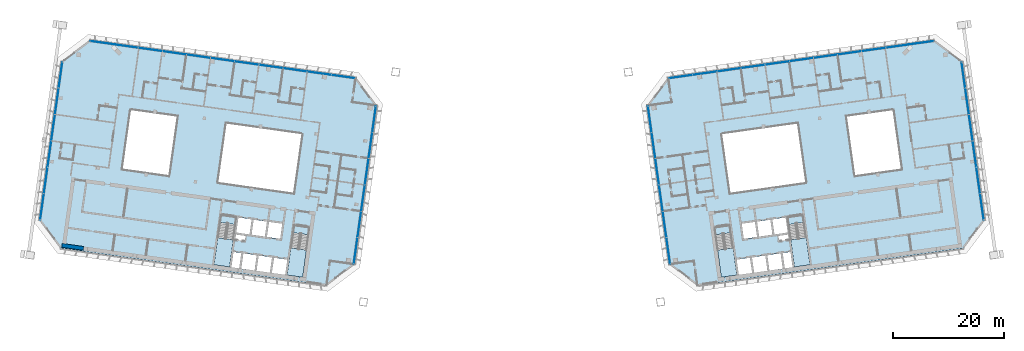
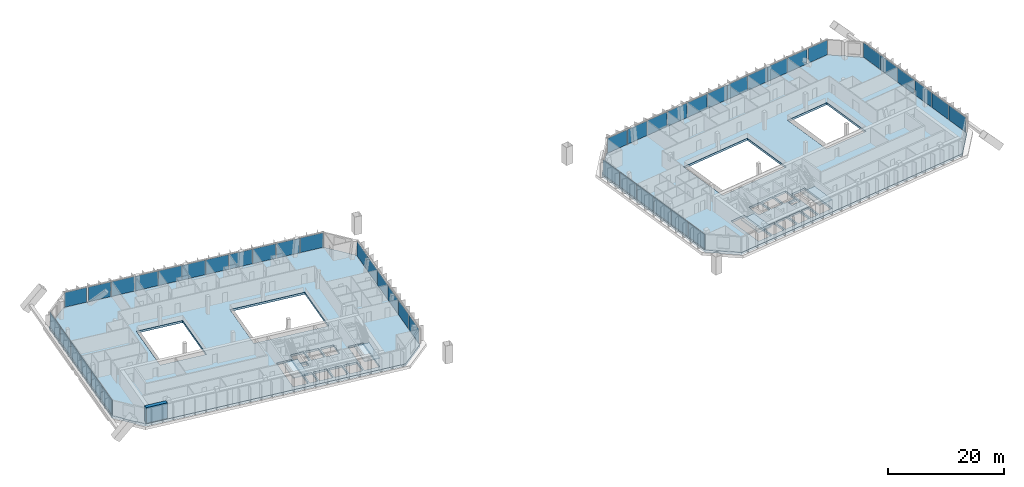
# One storey, part 15 of 29: 46 plates, 6 slabs, 1 wall, 10 elements without a shape of their own.
"""IFC4 building model written with IfcOpenShell, lengths in metres."""

from ifc_helpers import new_model, si_unit, direction, frame, frame_2d, origin, origin_2d, place, context, subcontext, project, spatial, polyline, rectangle, outline, extrude, material, layer, layer_set, type_object, element, aggregate, save


model = new_model("IFC4")

# Units and contexts
model_context = context("Model", 3, precision=1e-05, world=origin(), true_north=direction((0.0, 1.0)))
body_context = subcontext(model_context, "Body", "Model", "MODEL_VIEW")
ifc_project = project(units=[si_unit("LENGTHUNIT", "METRE"), si_unit("AREAUNIT", "SQUARE_METRE"), si_unit("VOLUMEUNIT", "CUBIC_METRE"), si_unit("PLANEANGLEUNIT", "RADIAN"), si_unit("MASSUNIT", "GRAM", prefix="KILO")], contexts=[model_context])

# Site, building, storey
site_placement = place(None, origin())
site = spatial("IfcSite", under=ifc_project, at=site_placement, CompositionType="ELEMENT")
building_placement = place(site_placement, origin())
building = spatial("IfcBuilding", under=site, at=building_placement, Name="Mirante Cascada Hotel Towers", CompositionType="ELEMENT")
storey_placement = place(building_placement, frame((0.0, 0.0, 206.8)))
storey = spatial("IfcBuildingStorey", under=building, at=storey_placement, Name="L49", CompositionType="ELEMENT", Elevation=206.8)

# Curtain wall, plates
ifc_material_1 = material(Name="Aluminium mullion and transom frame with clear laminated glass", Category="aluminium")
curtain_wall_type_1 = type_object("IfcCurtainWallType", Name="Ribbon curtain wall ECW1", PredefinedType="NOTDEFINED", material=ifc_material_1)
curtain_wall_1_placement = place(storey_placement, origin())
curtain_wall_1 = element("IfcCurtainWall", 1, at=curtain_wall_1_placement, inside=storey, type_object=curtain_wall_type_1, Name="Front ribbon wall T1 L49", PredefinedType="NOTDEFINED")
ifc_material_2 = material(Name="Clear laminated glass", Category="glass")
ifc_layer_1 = layer(ifc_material_2, 0.036)
ifc_layer_set_1 = layer_set([ifc_layer_1], Name="ECW1 glass panel 36")
plate_type_1 = type_object("IfcPlateType", Name="ECW1 glass panel 36", PredefinedType="CURTAIN_PANEL", material=ifc_layer_set_1)
plate_1_placement = place(storey_placement, frame((-74.2181, 23.2497, 0.1), z_axis=(0.0, 0.0, 1.0), x_axis=(0.9902681, -0.1391731, 0.0)))
plate_1 = element("IfcPlate", 2, at=plate_1_placement, type_object=plate_type_1, Name="ECW1 panel 1", PredefinedType="CURTAIN_PANEL", context=body_context, shape_type="SweptSolid", body=[
    extrude(rectangle(XDim=4.1421, YDim=0.036, at=origin_2d()), origin(), (0.0, 0.0, 1.0), 3.1),
])
plate_2_placement = place(storey_placement, frame((-69.7205, 22.6176, 0.1), z_axis=(0.0, 0.0, 1.0), x_axis=(0.9902681, -0.1391731, 0.0)))
plate_2 = element("IfcPlate", 3, at=plate_2_placement, type_object=plate_type_1, Name="ECW1 panel 2", PredefinedType="CURTAIN_PANEL", context=body_context, shape_type="SweptSolid", body=[
    extrude(rectangle(XDim=4.202, YDim=0.036, at=origin_2d()), origin(), (0.0, 0.0, 1.0), 3.1),
])
plate_3_placement = place(storey_placement, frame((-65.4263, 22.0141, 0.1), z_axis=(0.0, 0.0, 1.0), x_axis=(0.9902681, -0.1391731, 0.0)))
plate_3 = element("IfcPlate", 4, at=plate_3_placement, type_object=plate_type_1, Name="ECW1 panel 3", PredefinedType="CURTAIN_PANEL", context=body_context, shape_type="SweptSolid", body=[
    extrude(rectangle(XDim=4.3407, YDim=0.036, at=origin_2d()), origin(), (0.0, 0.0, 1.0), 3.1),
])
plate_4_placement = place(storey_placement, frame((-61.0635, 21.4009, 0.1), z_axis=(0.0, 0.0, 1.0), x_axis=(0.9902681, -0.1391731, 0.0)))
plate_4 = element("IfcPlate", 5, at=plate_4_placement, type_object=plate_type_1, Name="ECW1 panel 4", PredefinedType="CURTAIN_PANEL", context=body_context, shape_type="SweptSolid", body=[
    extrude(rectangle(XDim=4.3407, YDim=0.036, at=origin_2d()), origin(), (0.0, 0.0, 1.0), 3.1),
])
plate_5_placement = place(storey_placement, frame((-56.7007, 20.7878, 0.1), z_axis=(0.0, 0.0, 1.0), x_axis=(0.9902681, -0.1391731, 0.0)))
plate_5 = element("IfcPlate", 6, at=plate_5_placement, type_object=plate_type_1, Name="ECW1 panel 5", PredefinedType="CURTAIN_PANEL", context=body_context, shape_type="SweptSolid", body=[
    extrude(rectangle(XDim=4.3407, YDim=0.036, at=origin_2d()), origin(), (0.0, 0.0, 1.0), 3.1),
])
plate_6_placement = place(storey_placement, frame((-52.3379, 20.1746, 0.1), z_axis=(0.0, 0.0, 1.0), x_axis=(0.9902681, -0.1391731, 0.0)))
plate_6 = element("IfcPlate", 7, at=plate_6_placement, type_object=plate_type_1, Name="ECW1 panel 6", PredefinedType="CURTAIN_PANEL", context=body_context, shape_type="SweptSolid", body=[
    extrude(rectangle(XDim=4.3407, YDim=0.036, at=origin_2d()), origin(), (0.0, 0.0, 1.0), 3.1),
])
plate_7_placement = place(storey_placement, frame((-47.9752, 19.5615, 0.1), z_axis=(0.0, 0.0, 1.0), x_axis=(0.9902681, -0.1391731, 0.0)))
plate_7 = element("IfcPlate", 8, at=plate_7_placement, type_object=plate_type_1, Name="ECW1 panel 7", PredefinedType="CURTAIN_PANEL", context=body_context, shape_type="SweptSolid", body=[
    extrude(rectangle(XDim=4.3407, YDim=0.036, at=origin_2d()), origin(), (0.0, 0.0, 1.0), 3.1),
])
plate_8_placement = place(storey_placement, frame((-43.6124, 18.9483, 0.1), z_axis=(0.0, 0.0, 1.0), x_axis=(0.9902681, -0.1391731, 0.0)))
plate_8 = element("IfcPlate", 9, at=plate_8_placement, type_object=plate_type_1, Name="ECW1 panel 8", PredefinedType="CURTAIN_PANEL", context=body_context, shape_type="SweptSolid", body=[
    extrude(rectangle(XDim=4.3407, YDim=0.036, at=origin_2d()), origin(), (0.0, 0.0, 1.0), 3.1),
])
plate_9_placement = place(storey_placement, frame((-39.2496, 18.3352, 0.1), z_axis=(0.0, 0.0, 1.0), x_axis=(0.9902681, -0.1391731, 0.0)))
plate_9 = element("IfcPlate", 10, at=plate_9_placement, type_object=plate_type_1, Name="ECW1 panel 9", PredefinedType="CURTAIN_PANEL", context=body_context, shape_type="SweptSolid", body=[
    extrude(rectangle(XDim=4.3407, YDim=0.036, at=origin_2d()), origin(), (0.0, 0.0, 1.0), 3.1),
])
plate_10_placement = place(storey_placement, frame((-34.8868, 17.722, 0.1), z_axis=(0.0, 0.0, 1.0), x_axis=(0.9902681, -0.1391731, 0.0)))
plate_10 = element("IfcPlate", 11, at=plate_10_placement, type_object=plate_type_1, Name="ECW1 panel 10", PredefinedType="CURTAIN_PANEL", context=body_context, shape_type="SweptSolid", body=[
    extrude(rectangle(XDim=4.3407, YDim=0.036, at=origin_2d()), origin(), (0.0, 0.0, 1.0), 3.1),
])
plate_11_placement = place(storey_placement, frame((-30.5401, 17.1112, 0.1), z_axis=(0.0, 0.0, 1.0), x_axis=(0.9902681, -0.1391731, 0.0)))
plate_11 = element("IfcPlate", 12, at=plate_11_placement, type_object=plate_type_1, Name="ECW1 panel 11", PredefinedType="CURTAIN_PANEL", context=body_context, shape_type="SweptSolid", body=[
    extrude(rectangle(XDim=4.3082, YDim=0.036, at=origin_2d()), origin(), (0.0, 0.0, 1.0), 3.1),
])
aggregate(curtain_wall_1, [plate_1, plate_2, plate_3, plate_4, plate_5, plate_6, plate_7, plate_8, plate_9, plate_10, plate_11])

curtain_wall_2_placement = place(storey_placement, origin())
curtain_wall_2 = element("IfcCurtainWall", 13, at=curtain_wall_2_placement, inside=storey, type_object=curtain_wall_type_1, Name="Front ribbon wall T2 L49", PredefinedType="NOTDEFINED")
plate_12_placement = place(storey_placement, frame((74.2181, 23.2497, 0.1), z_axis=(0.0, 0.0, 1.0), x_axis=(-0.9902681, -0.1391731, 0.0)))
plate_12 = element("IfcPlate", 14, at=plate_12_placement, type_object=plate_type_1, Name="ECW1 panel 1", PredefinedType="CURTAIN_PANEL", context=body_context, shape_type="SweptSolid", body=[
    extrude(rectangle(XDim=4.1421, YDim=0.036, at=origin_2d()), origin(), (0.0, 0.0, 1.0), 3.1),
])
plate_13_placement = place(storey_placement, frame((69.7205, 22.6176, 0.1), z_axis=(0.0, 0.0, 1.0), x_axis=(-0.9902681, -0.1391731, 0.0)))
plate_13 = element("IfcPlate", 15, at=plate_13_placement, type_object=plate_type_1, Name="ECW1 panel 2", PredefinedType="CURTAIN_PANEL", context=body_context, shape_type="SweptSolid", body=[
    extrude(rectangle(XDim=4.202, YDim=0.036, at=origin_2d()), origin(), (0.0, 0.0, 1.0), 3.1),
])
plate_14_placement = place(storey_placement, frame((65.4263, 22.0141, 0.1), z_axis=(0.0, 0.0, 1.0), x_axis=(-0.9902681, -0.1391731, 0.0)))
plate_14 = element("IfcPlate", 16, at=plate_14_placement, type_object=plate_type_1, Name="ECW1 panel 3", PredefinedType="CURTAIN_PANEL", context=body_context, shape_type="SweptSolid", body=[
    extrude(rectangle(XDim=4.3407, YDim=0.036, at=origin_2d()), origin(), (0.0, 0.0, 1.0), 3.1),
])
plate_15_placement = place(storey_placement, frame((61.0635, 21.4009, 0.1), z_axis=(0.0, 0.0, 1.0), x_axis=(-0.9902681, -0.1391731, 0.0)))
plate_15 = element("IfcPlate", 17, at=plate_15_placement, type_object=plate_type_1, Name="ECW1 panel 4", PredefinedType="CURTAIN_PANEL", context=body_context, shape_type="SweptSolid", body=[
    extrude(rectangle(XDim=4.3407, YDim=0.036, at=origin_2d()), origin(), (0.0, 0.0, 1.0), 3.1),
])
plate_16_placement = place(storey_placement, frame((56.7007, 20.7878, 0.1), z_axis=(0.0, 0.0, 1.0), x_axis=(-0.9902681, -0.1391731, 0.0)))
plate_16 = element("IfcPlate", 18, at=plate_16_placement, type_object=plate_type_1, Name="ECW1 panel 5", PredefinedType="CURTAIN_PANEL", context=body_context, shape_type="SweptSolid", body=[
    extrude(rectangle(XDim=4.3407, YDim=0.036, at=origin_2d()), origin(), (0.0, 0.0, 1.0), 3.1),
])
plate_17_placement = place(storey_placement, frame((52.3379, 20.1746, 0.1), z_axis=(0.0, 0.0, 1.0), x_axis=(-0.9902681, -0.1391731, 0.0)))
plate_17 = element("IfcPlate", 19, at=plate_17_placement, type_object=plate_type_1, Name="ECW1 panel 6", PredefinedType="CURTAIN_PANEL", context=body_context, shape_type="SweptSolid", body=[
    extrude(rectangle(XDim=4.3407, YDim=0.036, at=origin_2d()), origin(), (0.0, 0.0, 1.0), 3.1),
])
plate_18_placement = place(storey_placement, frame((47.9752, 19.5615, 0.1), z_axis=(0.0, 0.0, 1.0), x_axis=(-0.9902681, -0.1391731, 0.0)))
plate_18 = element("IfcPlate", 20, at=plate_18_placement, type_object=plate_type_1, Name="ECW1 panel 7", PredefinedType="CURTAIN_PANEL", context=body_context, shape_type="SweptSolid", body=[
    extrude(rectangle(XDim=4.3407, YDim=0.036, at=origin_2d()), origin(), (0.0, 0.0, 1.0), 3.1),
])
plate_19_placement = place(storey_placement, frame((43.6124, 18.9483, 0.1), z_axis=(0.0, 0.0, 1.0), x_axis=(-0.9902681, -0.1391731, 0.0)))
plate_19 = element("IfcPlate", 21, at=plate_19_placement, type_object=plate_type_1, Name="ECW1 panel 8", PredefinedType="CURTAIN_PANEL", context=body_context, shape_type="SweptSolid", body=[
    extrude(rectangle(XDim=4.3407, YDim=0.036, at=origin_2d()), origin(), (0.0, 0.0, 1.0), 3.1),
])
plate_20_placement = place(storey_placement, frame((39.2496, 18.3352, 0.1), z_axis=(0.0, 0.0, 1.0), x_axis=(-0.9902681, -0.1391731, 0.0)))
plate_20 = element("IfcPlate", 22, at=plate_20_placement, type_object=plate_type_1, Name="ECW1 panel 9", PredefinedType="CURTAIN_PANEL", context=body_context, shape_type="SweptSolid", body=[
    extrude(rectangle(XDim=4.3407, YDim=0.036, at=origin_2d()), origin(), (0.0, 0.0, 1.0), 3.1),
])
plate_21_placement = place(storey_placement, frame((34.8868, 17.722, 0.1), z_axis=(0.0, 0.0, 1.0), x_axis=(-0.9902681, -0.1391731, 0.0)))
plate_21 = element("IfcPlate", 23, at=plate_21_placement, type_object=plate_type_1, Name="ECW1 panel 10", PredefinedType="CURTAIN_PANEL", context=body_context, shape_type="SweptSolid", body=[
    extrude(rectangle(XDim=4.3407, YDim=0.036, at=origin_2d()), origin(), (0.0, 0.0, 1.0), 3.1),
])
plate_22_placement = place(storey_placement, frame((30.5401, 17.1112, 0.1), z_axis=(0.0, 0.0, 1.0), x_axis=(-0.9902681, -0.1391731, 0.0)))
plate_22 = element("IfcPlate", 24, at=plate_22_placement, type_object=plate_type_1, Name="ECW1 panel 11", PredefinedType="CURTAIN_PANEL", context=body_context, shape_type="SweptSolid", body=[
    extrude(rectangle(XDim=4.3082, YDim=0.036, at=origin_2d()), origin(), (0.0, 0.0, 1.0), 3.1),
])
aggregate(curtain_wall_2, [plate_12, plate_13, plate_14, plate_15, plate_16, plate_17, plate_18, plate_19, plate_20, plate_21, plate_22])

ifc_material_3 = material(Name="Aluminium mullion and transom frame with clear laminated glass", Category="aluminium")
curtain_wall_type_2 = type_object("IfcCurtainWallType", Name="End ribbon curtain wall ECW2", PredefinedType="NOTDEFINED", material=ifc_material_3)
curtain_wall_3_placement = place(storey_placement, origin())
curtain_wall_3 = element("IfcCurtainWall", 25, at=curtain_wall_3_placement, inside=storey, type_object=curtain_wall_type_2, Name="Inner end wall T1 L49", PredefinedType="NOTDEFINED")
ifc_material_4 = material(Name="Clear laminated glass", Category="glass")
ifc_layer_2 = layer(ifc_material_4, 0.034)
ifc_layer_set_2 = layer_set([ifc_layer_2], Name="ECW2 glass panel 34")
plate_type_2 = type_object("IfcPlateType", Name="ECW2 glass panel 34", PredefinedType="CURTAIN_PANEL", material=ifc_layer_set_2)
plate_23_placement = place(storey_placement, frame((-24.9246, 9.4201, 0.1), z_axis=(0.0, 0.0, 1.0), x_axis=(-0.1391731, -0.9902681, 0.0)))
plate_23 = element("IfcPlate", 26, at=plate_23_placement, type_object=plate_type_2, Name="ECW2 panel 1", PredefinedType="CURTAIN_PANEL", context=body_context, shape_type="SweptSolid", body=[
    extrude(rectangle(XDim=4.7151, YDim=0.034, at=origin_2d()), origin(), (0.0, 0.0, 1.0), 3.1),
])
plate_24_placement = place(storey_placement, frame((-25.5921, 4.6704, 0.1), z_axis=(0.0, 0.0, 1.0), x_axis=(-0.1391731, -0.9902681, 0.0)))
plate_24 = element("IfcPlate", 27, at=plate_24_placement, type_object=plate_type_2, Name="ECW2 panel 2", PredefinedType="CURTAIN_PANEL", context=body_context, shape_type="SweptSolid", body=[
    extrude(rectangle(XDim=4.7476, YDim=0.034, at=origin_2d()), origin(), (0.0, 0.0, 1.0), 3.1),
])
plate_25_placement = place(storey_placement, frame((-26.2619, -0.0954, 0.1), z_axis=(0.0, 0.0, 1.0), x_axis=(-0.1391731, -0.9902681, 0.0)))
plate_25 = element("IfcPlate", 28, at=plate_25_placement, type_object=plate_type_2, Name="ECW2 panel 3", PredefinedType="CURTAIN_PANEL", context=body_context, shape_type="SweptSolid", body=[
    extrude(rectangle(XDim=4.7476, YDim=0.034, at=origin_2d()), origin(), (0.0, 0.0, 1.0), 3.1),
])
plate_26_placement = place(storey_placement, frame((-26.9317, -4.8612, 0.1), z_axis=(0.0, 0.0, 1.0), x_axis=(-0.1391731, -0.9902681, 0.0)))
plate_26 = element("IfcPlate", 29, at=plate_26_placement, type_object=plate_type_2, Name="ECW2 panel 4", PredefinedType="CURTAIN_PANEL", context=body_context, shape_type="SweptSolid", body=[
    extrude(rectangle(XDim=4.7476, YDim=0.034, at=origin_2d()), origin(), (0.0, 0.0, 1.0), 3.1),
])
plate_27_placement = place(storey_placement, frame((-27.6015, -9.627, 0.1), z_axis=(0.0, 0.0, 1.0), x_axis=(-0.1391731, -0.9902681, 0.0)))
plate_27 = element("IfcPlate", 30, at=plate_27_placement, type_object=plate_type_2, Name="ECW2 panel 5", PredefinedType="CURTAIN_PANEL", context=body_context, shape_type="SweptSolid", body=[
    extrude(rectangle(XDim=4.7476, YDim=0.034, at=origin_2d()), origin(), (0.0, 0.0, 1.0), 3.1),
])
plate_28_placement = place(storey_placement, frame((-28.269, -14.3767, 0.1), z_axis=(0.0, 0.0, 1.0), x_axis=(-0.1391731, -0.9902681, 0.0)))
plate_28 = element("IfcPlate", 31, at=plate_28_placement, type_object=plate_type_2, Name="ECW2 panel 6", PredefinedType="CURTAIN_PANEL", context=body_context, shape_type="SweptSolid", body=[
    extrude(rectangle(XDim=4.7151, YDim=0.034, at=origin_2d()), origin(), (0.0, 0.0, 1.0), 3.1),
])
aggregate(curtain_wall_3, [plate_23, plate_24, plate_25, plate_26, plate_27, plate_28])

curtain_wall_4_placement = place(storey_placement, origin())
curtain_wall_4 = element("IfcCurtainWall", 32, at=curtain_wall_4_placement, inside=storey, type_object=curtain_wall_type_2, Name="Outer end wall T1 L49", PredefinedType="NOTDEFINED")
plate_29_placement = place(storey_placement, frame((-84.9981, -6.4039, 0.1), z_axis=(0.0, 0.0, 1.0), x_axis=(0.1391731, 0.9902681, 0.0)))
plate_29 = element("IfcPlate", 33, at=plate_29_placement, type_object=plate_type_2, Name="ECW2 panel 1", PredefinedType="CURTAIN_PANEL", context=body_context, shape_type="SweptSolid", body=[
    extrude(rectangle(XDim=4.7151, YDim=0.034, at=origin_2d()), origin(), (0.0, 0.0, 1.0), 3.1),
])
plate_30_placement = place(storey_placement, frame((-84.3306, -1.6542, 0.1), z_axis=(0.0, 0.0, 1.0), x_axis=(0.1391731, 0.9902681, 0.0)))
plate_30 = element("IfcPlate", 34, at=plate_30_placement, type_object=plate_type_2, Name="ECW2 panel 2", PredefinedType="CURTAIN_PANEL", context=body_context, shape_type="SweptSolid", body=[
    extrude(rectangle(XDim=4.7476, YDim=0.034, at=origin_2d()), origin(), (0.0, 0.0, 1.0), 3.1),
])
plate_31_placement = place(storey_placement, frame((-82.3213, 12.6432, 0.1), z_axis=(0.0, 0.0, 1.0), x_axis=(0.1391731, 0.9902681, 0.0)))
plate_31 = element("IfcPlate", 35, at=plate_31_placement, type_object=plate_type_2, Name="ECW2 panel 5", PredefinedType="CURTAIN_PANEL", context=body_context, shape_type="SweptSolid", body=[
    extrude(rectangle(XDim=4.7476, YDim=0.034, at=origin_2d()), origin(), (0.0, 0.0, 1.0), 3.1),
])
plate_32_placement = place(storey_placement, frame((-81.6537, 17.3928, 0.1), z_axis=(0.0, 0.0, 1.0), x_axis=(0.1391731, 0.9902681, 0.0)))
plate_32 = element("IfcPlate", 36, at=plate_32_placement, type_object=plate_type_2, Name="ECW2 panel 6", PredefinedType="CURTAIN_PANEL", context=body_context, shape_type="SweptSolid", body=[
    extrude(rectangle(XDim=4.7151, YDim=0.034, at=origin_2d()), origin(), (0.0, 0.0, 1.0), 3.1),
])

curtain_wall_5_placement = place(storey_placement, origin())
curtain_wall_5 = element("IfcCurtainWall", 37, at=curtain_wall_5_placement, inside=storey, type_object=curtain_wall_type_2, Name="Inner end wall T2 L49", PredefinedType="NOTDEFINED")
plate_33_placement = place(storey_placement, frame((24.9246, 9.4201, 0.1), z_axis=(0.0, 0.0, 1.0), x_axis=(0.1391731, -0.9902681, 0.0)))
plate_33 = element("IfcPlate", 38, at=plate_33_placement, type_object=plate_type_2, Name="ECW2 panel 1", PredefinedType="CURTAIN_PANEL", context=body_context, shape_type="SweptSolid", body=[
    extrude(rectangle(XDim=4.7151, YDim=0.034, at=origin_2d()), origin(), (0.0, 0.0, 1.0), 3.1),
])
plate_34_placement = place(storey_placement, frame((25.5921, 4.6704, 0.1), z_axis=(0.0, 0.0, 1.0), x_axis=(0.1391731, -0.9902681, 0.0)))
plate_34 = element("IfcPlate", 39, at=plate_34_placement, type_object=plate_type_2, Name="ECW2 panel 2", PredefinedType="CURTAIN_PANEL", context=body_context, shape_type="SweptSolid", body=[
    extrude(rectangle(XDim=4.7476, YDim=0.034, at=origin_2d()), origin(), (0.0, 0.0, 1.0), 3.1),
])
plate_35_placement = place(storey_placement, frame((26.2619, -0.0954, 0.1), z_axis=(0.0, 0.0, 1.0), x_axis=(0.1391731, -0.9902681, 0.0)))
plate_35 = element("IfcPlate", 40, at=plate_35_placement, type_object=plate_type_2, Name="ECW2 panel 3", PredefinedType="CURTAIN_PANEL", context=body_context, shape_type="SweptSolid", body=[
    extrude(rectangle(XDim=4.7476, YDim=0.034, at=origin_2d()), origin(), (0.0, 0.0, 1.0), 3.1),
])
plate_36_placement = place(storey_placement, frame((26.9317, -4.8612, 0.1), z_axis=(0.0, 0.0, 1.0), x_axis=(0.1391731, -0.9902681, 0.0)))
plate_36 = element("IfcPlate", 41, at=plate_36_placement, type_object=plate_type_2, Name="ECW2 panel 4", PredefinedType="CURTAIN_PANEL", context=body_context, shape_type="SweptSolid", body=[
    extrude(rectangle(XDim=4.7476, YDim=0.034, at=origin_2d()), origin(), (0.0, 0.0, 1.0), 3.1),
])
plate_37_placement = place(storey_placement, frame((27.6015, -9.627, 0.1), z_axis=(0.0, 0.0, 1.0), x_axis=(0.1391731, -0.9902681, 0.0)))
plate_37 = element("IfcPlate", 42, at=plate_37_placement, type_object=plate_type_2, Name="ECW2 panel 5", PredefinedType="CURTAIN_PANEL", context=body_context, shape_type="SweptSolid", body=[
    extrude(rectangle(XDim=4.7476, YDim=0.034, at=origin_2d()), origin(), (0.0, 0.0, 1.0), 3.1),
])
plate_38_placement = place(storey_placement, frame((28.269, -14.3767, 0.1), z_axis=(0.0, 0.0, 1.0), x_axis=(0.1391731, -0.9902681, 0.0)))
plate_38 = element("IfcPlate", 43, at=plate_38_placement, type_object=plate_type_2, Name="ECW2 panel 6", PredefinedType="CURTAIN_PANEL", context=body_context, shape_type="SweptSolid", body=[
    extrude(rectangle(XDim=4.7151, YDim=0.034, at=origin_2d()), origin(), (0.0, 0.0, 1.0), 3.1),
])
aggregate(curtain_wall_5, [plate_33, plate_34, plate_35, plate_36, plate_37, plate_38])

curtain_wall_6_placement = place(storey_placement, origin())
curtain_wall_6 = element("IfcCurtainWall", 44, at=curtain_wall_6_placement, inside=storey, type_object=curtain_wall_type_2, Name="Outer end wall T2 L49", PredefinedType="NOTDEFINED")
plate_39_placement = place(storey_placement, frame((84.9981, -6.4039, 0.1), z_axis=(0.0, 0.0, 1.0), x_axis=(-0.1391731, 0.9902681, 0.0)))
plate_39 = element("IfcPlate", 45, at=plate_39_placement, type_object=plate_type_2, Name="ECW2 panel 1", PredefinedType="CURTAIN_PANEL", context=body_context, shape_type="SweptSolid", body=[
    extrude(rectangle(XDim=4.7151, YDim=0.034, at=origin_2d()), origin(), (0.0, 0.0, 1.0), 3.1),
])
plate_40_placement = place(storey_placement, frame((84.3306, -1.6542, 0.1), z_axis=(0.0, 0.0, 1.0), x_axis=(-0.1391731, 0.9902681, 0.0)))
plate_40 = element("IfcPlate", 46, at=plate_40_placement, type_object=plate_type_2, Name="ECW2 panel 2", PredefinedType="CURTAIN_PANEL", context=body_context, shape_type="SweptSolid", body=[
    extrude(rectangle(XDim=4.7476, YDim=0.034, at=origin_2d()), origin(), (0.0, 0.0, 1.0), 3.1),
])
plate_41_placement = place(storey_placement, frame((82.3213, 12.6432, 0.1), z_axis=(0.0, 0.0, 1.0), x_axis=(-0.1391731, 0.9902681, 0.0)))
plate_41 = element("IfcPlate", 47, at=plate_41_placement, type_object=plate_type_2, Name="ECW2 panel 5", PredefinedType="CURTAIN_PANEL", context=body_context, shape_type="SweptSolid", body=[
    extrude(rectangle(XDim=4.7476, YDim=0.034, at=origin_2d()), origin(), (0.0, 0.0, 1.0), 3.1),
])
plate_42_placement = place(storey_placement, frame((81.6537, 17.3928, 0.1), z_axis=(0.0, 0.0, 1.0), x_axis=(-0.1391731, 0.9902681, 0.0)))
plate_42 = element("IfcPlate", 48, at=plate_42_placement, type_object=plate_type_2, Name="ECW2 panel 6", PredefinedType="CURTAIN_PANEL", context=body_context, shape_type="SweptSolid", body=[
    extrude(rectangle(XDim=4.7151, YDim=0.034, at=origin_2d()), origin(), (0.0, 0.0, 1.0), 3.1),
])

# Plate
ifc_material_5 = material(Name="Insulated aluminium spandrel panel", Category="aluminium")
ifc_layer_3 = layer(ifc_material_5, 0.034)
ifc_layer_set_3 = layer_set([ifc_layer_3], Name="ECW2 spandrel panel 34")
plate_type_3 = type_object("IfcPlateType", Name="ECW2 spandrel panel 34", PredefinedType="CURTAIN_PANEL", material=ifc_layer_set_3)
plate_43_placement = place(storey_placement, frame((-83.6608, 3.1116, 0.1), z_axis=(0.0, 0.0, 1.0), x_axis=(0.1391731, 0.9902681, 0.0)))
plate_43 = element("IfcPlate", 49, at=plate_43_placement, type_object=plate_type_3, Name="ECW2 panel 3", PredefinedType="CURTAIN_PANEL", context=body_context, shape_type="SweptSolid", body=[
    extrude(rectangle(XDim=4.7476, YDim=0.034, at=origin_2d()), origin(), (0.0, 0.0, 1.0), 3.1),
])

plate_44_placement = place(storey_placement, frame((-82.991, 7.8774, 0.1), z_axis=(0.0, 0.0, 1.0), x_axis=(0.1391731, 0.9902681, 0.0)))
plate_44 = element("IfcPlate", 50, at=plate_44_placement, type_object=plate_type_3, Name="ECW2 panel 4", PredefinedType="CURTAIN_PANEL", context=body_context, shape_type="SweptSolid", body=[
    extrude(rectangle(XDim=4.7476, YDim=0.034, at=origin_2d()), origin(), (0.0, 0.0, 1.0), 3.1),
])

aggregate(curtain_wall_4, [plate_29, plate_30, plate_43, plate_44, plate_31, plate_32])

plate_45_placement = place(storey_placement, frame((83.6608, 3.1116, 0.1), z_axis=(0.0, 0.0, 1.0), x_axis=(-0.1391731, 0.9902681, 0.0)))
plate_45 = element("IfcPlate", 51, at=plate_45_placement, type_object=plate_type_3, Name="ECW2 panel 3", PredefinedType="CURTAIN_PANEL", context=body_context, shape_type="SweptSolid", body=[
    extrude(rectangle(XDim=4.7476, YDim=0.034, at=origin_2d()), origin(), (0.0, 0.0, 1.0), 3.1),
])

plate_46_placement = place(storey_placement, frame((82.991, 7.8774, 0.1), z_axis=(0.0, 0.0, 1.0), x_axis=(-0.1391731, 0.9902681, 0.0)))
plate_46 = element("IfcPlate", 52, at=plate_46_placement, type_object=plate_type_3, Name="ECW2 panel 4", PredefinedType="CURTAIN_PANEL", context=body_context, shape_type="SweptSolid", body=[
    extrude(rectangle(XDim=4.7476, YDim=0.034, at=origin_2d()), origin(), (0.0, 0.0, 1.0), 3.1),
])

aggregate(curtain_wall_6, [plate_39, plate_40, plate_45, plate_46, plate_41, plate_42])

# Stair, slab
ifc_material_6 = material(Name="Concrete C35/45", Category="concrete")
stair_type = type_object("IfcStairType", Name="Exit stair half-turn 1350 concrete C35/45", PredefinedType="HALF_TURN_STAIR", material=ifc_material_6)
stair_1_placement = place(storey_placement, origin())
stair_1 = element("IfcStair", 53, at=stair_1_placement, inside=storey, type_object=stair_type, Name="L49 Exit stair A", PredefinedType="HALF_TURN_STAIR")
ifc_material_7 = material(Name="Concrete C35/45", Category="concrete")
ifc_layer_4 = layer(ifc_material_7, 0.2)
ifc_layer_set_4 = layer_set([ifc_layer_4], Name="Exit stair landing 200 concrete C35/45")
slab_type_1 = type_object("IfcSlabType", Name="Exit stair landing 200 concrete C35/45", PredefinedType="LANDING", material=ifc_layer_set_4)
slab_1_placement = place(storey_placement, frame((0.0, 0.0, 1.7)))
slab_1 = element("IfcSlab", 54, at=slab_1_placement, type_object=slab_type_1, Name="ST1-A landing 1", PredefinedType="LANDING", context=body_context, shape_type="SweptSolid", body=[
    extrude(outline(polyline([(-39.9987, -13.8659), (-40.6887, -18.7757), (-37.8665, -19.1723), (-37.1765, -14.2626), (-39.9987, -13.8659)])), origin(), (0.0, 0.0, 1.0), 0.2),
])
aggregate(stair_1, [slab_1])

stair_2_placement = place(storey_placement, origin())
stair_2 = element("IfcStair", 55, at=stair_2_placement, inside=storey, type_object=stair_type, Name="L49 Exit stair B", PredefinedType="HALF_TURN_STAIR")
slab_2_placement = place(storey_placement, frame((0.0, 0.0, 1.7)))
slab_2 = element("IfcSlab", 56, at=slab_2_placement, type_object=slab_type_1, Name="ST1-B landing 1", PredefinedType="LANDING", context=body_context, shape_type="SweptSolid", body=[
    extrude(outline(polyline([(-53.2188, -12.008), (-53.9088, -16.9177), (-51.0866, -17.3144), (-50.3965, -12.4046), (-53.2188, -12.008)])), origin(), (0.0, 0.0, 1.0), 0.2),
])
aggregate(stair_2, [slab_2])

stair_3_placement = place(storey_placement, origin())
stair_3 = element("IfcStair", 57, at=stair_3_placement, inside=storey, type_object=stair_type, Name="L49 Exit stair A", PredefinedType="HALF_TURN_STAIR")
slab_3_placement = place(storey_placement, frame((0.0, 0.0, 1.7)))
slab_3 = element("IfcSlab", 58, at=slab_3_placement, type_object=slab_type_1, Name="ST2-A landing 1", PredefinedType="LANDING", context=body_context, shape_type="SweptSolid", body=[
    extrude(outline(polyline([(37.1765, -14.2626), (37.8665, -19.1723), (40.6887, -18.7757), (39.9987, -13.8659), (37.1765, -14.2626)])), origin(), (0.0, 0.0, 1.0), 0.2),
])
aggregate(stair_3, [slab_3])

stair_4_placement = place(storey_placement, origin())
stair_4 = element("IfcStair", 59, at=stair_4_placement, inside=storey, type_object=stair_type, Name="L49 Exit stair B", PredefinedType="HALF_TURN_STAIR")
slab_4_placement = place(storey_placement, frame((0.0, 0.0, 1.7)))
slab_4 = element("IfcSlab", 60, at=slab_4_placement, type_object=slab_type_1, Name="ST2-B landing 1", PredefinedType="LANDING", context=body_context, shape_type="SweptSolid", body=[
    extrude(outline(polyline([(50.3965, -12.4046), (51.0866, -17.3144), (53.9088, -16.9177), (53.2188, -12.008), (50.3965, -12.4046)])), origin(), (0.0, 0.0, 1.0), 0.2),
])
aggregate(stair_4, [slab_4])

# Slabs
ifc_material_8 = material(Name="Concrete C40/50", Category="concrete")
ifc_layer_5 = layer(ifc_material_8, 0.45)
ifc_layer_set_5 = layer_set([ifc_layer_5], Name="Post-tensioned flat plate 450 Concrete C40/50")
slab_type_2 = type_object("IfcSlabType", Name="Post-tensioned flat plate 450 Concrete C40/50", PredefinedType="FLOOR", material=ifc_layer_set_5)
slab_5_placement = place(storey_placement, frame((0.0, 0.0, -0.45)))
element("IfcSlab", 61, at=slab_5_placement, inside=storey, type_object=slab_type_2, Name="Floor T1 L49", PredefinedType="FLOOR", context=body_context, shape_type="SweptSolid", body=[
    extrude(outline(polyline([(-28.4663, -16.8581), (-24.4302, 11.8597), (-28.2602, 16.9422), (-76.374, 23.7042), (-81.4565, 19.8742), (-85.4925, -8.8435), (-81.6626, -13.926), (-33.5487, -20.688), (-28.4663, -16.8581)]), holes=[polyline([(-40.5961, -15.9612), (-40.9858, -18.7339), (-43.4615, -18.386), (-43.0718, -15.6132), (-40.5961, -15.9612)]), polyline([(-43.3689, -15.5715), (-43.7586, -18.3442), (-46.2342, -17.9963), (-45.8446, -15.2236), (-43.3689, -15.5715)]), polyline([(-46.1416, -15.1818), (-46.5313, -17.9546), (-49.007, -17.6066), (-48.6173, -14.8339), (-46.1416, -15.1818)]), polyline([(-36.7887, -11.5037), (-37.8665, -19.1723), (-40.6887, -18.7757), (-39.611, -11.107), (-36.7887, -11.5037)]), polyline([(-43.9775, -9.124), (-41.5018, -9.472), (-41.8915, -12.2447), (-44.3672, -11.8968), (-43.9775, -9.124)]), polyline([(-44.2746, -9.0823), (-44.6643, -11.855), (-47.1399, -11.5071), (-46.7503, -8.7344), (-44.2746, -9.0823)]), polyline([(-50.3998, -14.5834), (-48.9144, -14.7921), (-49.3041, -17.5649), (-50.7895, -17.3561), (-50.3998, -14.5834)]), polyline([(-50.0088, -9.6457), (-51.0866, -17.3144), (-53.9088, -16.9177), (-52.8311, -9.2491), (-50.0088, -9.6457)]), polyline([(-48.1472, -11.6685), (-48.2829, -12.634), (-50.0901, -12.38), (-49.9544, -11.4145), (-48.1472, -11.6685)]), polyline([(-49.523, -8.3447), (-47.0473, -8.6926), (-47.437, -11.4654), (-49.9127, -11.1174), (-49.523, -8.3447)]), polyline([(-60.4656, 9.9564), (-60.4656, 9.9564), (-61.9965, -0.9366), (-61.9965, -0.9366), (-70.579, 0.2696), (-69.0481, 11.1625), (-60.4656, 9.9564)]), polyline([(-37.8547, 6.7786), (-39.3856, -4.1144), (-53.2466, -2.1663), (-53.2466, -2.1663), (-51.7157, 8.7266), (-37.8547, 6.7786)])]), origin(), (0.0, 0.0, 1.0), 0.45),
])
slab_6_placement = place(storey_placement, frame((0.0, 0.0, -0.45)))
element("IfcSlab", 62, at=slab_6_placement, inside=storey, type_object=slab_type_2, Name="Floor T2 L49", PredefinedType="FLOOR", context=body_context, shape_type="SweptSolid", body=[
    extrude(outline(polyline([(28.4663, -16.8581), (24.4302, 11.8597), (28.2602, 16.9422), (76.374, 23.7042), (81.4565, 19.8742), (85.4925, -8.8435), (81.6626, -13.926), (33.5487, -20.688), (28.4663, -16.8581)]), holes=[polyline([(40.5961, -15.9612), (40.9858, -18.7339), (43.4615, -18.386), (43.0718, -15.6132), (40.5961, -15.9612)]), polyline([(43.3689, -15.5715), (43.7586, -18.3442), (46.2342, -17.9963), (45.8446, -15.2236), (43.3689, -15.5715)]), polyline([(46.1416, -15.1818), (46.5313, -17.9546), (49.007, -17.6066), (48.6173, -14.8339), (46.1416, -15.1818)]), polyline([(37.8665, -19.1723), (40.6887, -18.7757), (39.611, -11.107), (36.7887, -11.5037), (37.8665, -19.1723)]), polyline([(43.9775, -9.124), (41.5018, -9.472), (41.8915, -12.2447), (44.3672, -11.8968), (43.9775, -9.124)]), polyline([(44.2746, -9.0823), (44.6643, -11.855), (47.1399, -11.5071), (46.7503, -8.7344), (44.2746, -9.0823)]), polyline([(50.3998, -14.5834), (48.9144, -14.7921), (49.3041, -17.5649), (50.7895, -17.3561), (50.3998, -14.5834)]), polyline([(51.0866, -17.3144), (53.9088, -16.9177), (52.8311, -9.2491), (50.0088, -9.6457), (51.0866, -17.3144)]), polyline([(48.1472, -11.6685), (48.2829, -12.634), (50.0901, -12.38), (49.9544, -11.4145), (48.1472, -11.6685)]), polyline([(49.523, -8.3447), (47.0473, -8.6926), (47.437, -11.4654), (49.9127, -11.1174), (49.523, -8.3447)]), polyline([(69.0481, 11.1625), (70.579, 0.2696), (61.9965, -0.9366), (61.9965, -0.9366), (60.4656, 9.9564), (60.4656, 9.9564), (69.0481, 11.1625)]), polyline([(39.3856, -4.1144), (37.8547, 6.7786), (51.7157, 8.7266), (53.2466, -2.1663), (53.2466, -2.1663), (39.3856, -4.1144)])]), origin(), (0.0, 0.0, 1.0), 0.45),
])

# Wall
ifc_material_9 = material(Name="Concrete C50/60", Category="concrete")
ifc_layer_6 = layer(ifc_material_9, 0.7)
ifc_layer_set_6 = layer_set([ifc_layer_6], Name="RC core wall 700 C50/60")
wall_type = type_object("IfcWallType", Name="RC core wall 700 C50/60", PredefinedType="SHEAR", material=ifc_layer_set_6)
wall_placement = place(storey_placement, frame((-77.4764, -13.9589, 0.0), z_axis=(0.0, 0.0, 1.0), x_axis=(-0.9902694, 0.1391633, 0.0)))
element("IfcWall", 63, at=wall_placement, inside=storey, type_object=wall_type, Name="Core wall T1:L49:1.6", PredefinedType="SHEAR", context=body_context, shape_type="SweptSolid", body=[
    extrude(rectangle(XDim=3.95, YDim=0.7, at=frame_2d((1.975, 0.0))), origin(), (0.0, 0.0, 1.0), 3.3),
])

save(model, "model.ifc")
